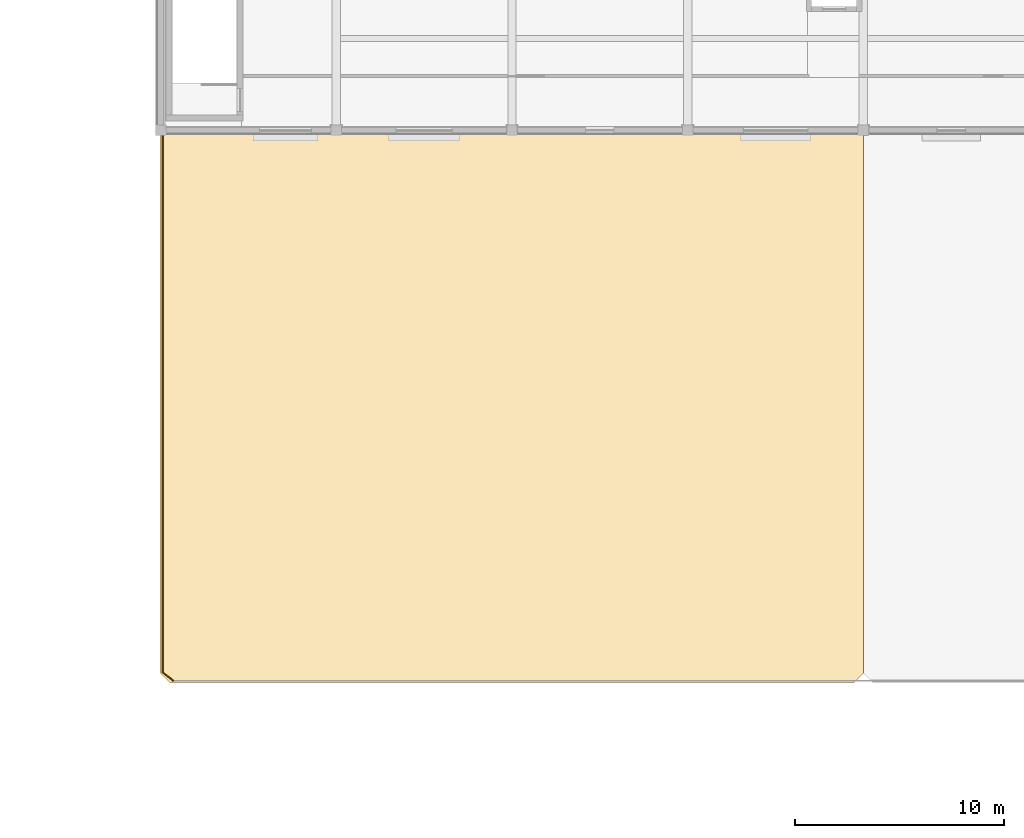
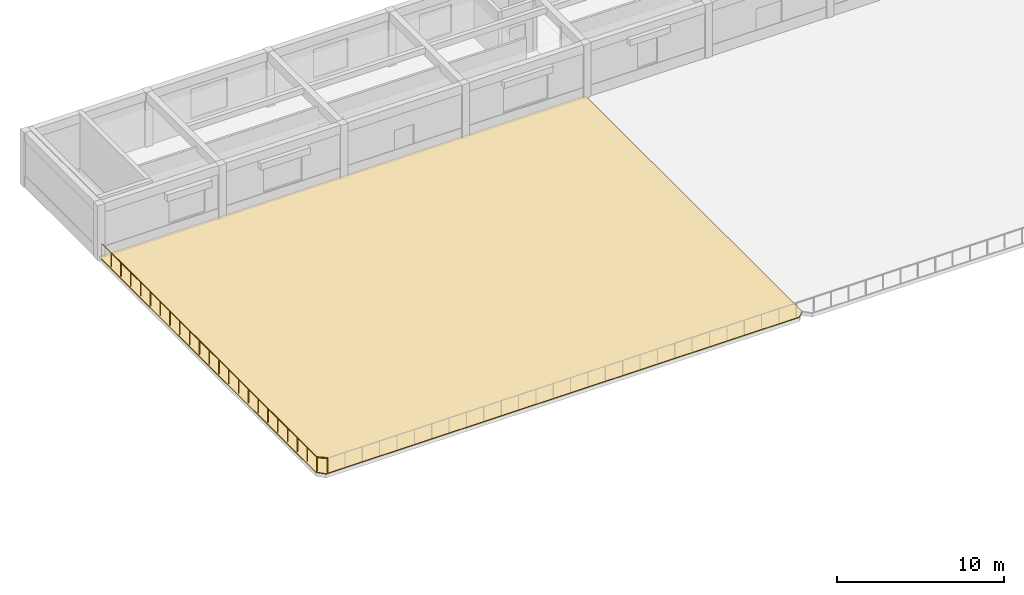
# One storey, part 43 of 49: 2 railings, 1 covering.
"""IFC4 building model written with IfcOpenShell, lengths in metres."""

from ifc_helpers import new_model, si_unit, direction, frame, origin, origin_2d, place, context, subcontext, project, spatial, polyline, circle, outline, extrude, material, layer, layer_set, type_object, element, save


model = new_model("IFC4")

# Units and contexts
model_context = context("Model", 3, precision=1e-05, world=origin(), true_north=direction((0.0, 1.0)))
body_context = subcontext(model_context, "Body", "Model", "MODEL_VIEW")
ifc_project = project(units=[si_unit("LENGTHUNIT", "METRE"), si_unit("AREAUNIT", "SQUARE_METRE"), si_unit("VOLUMEUNIT", "CUBIC_METRE"), si_unit("PLANEANGLEUNIT", "RADIAN"), si_unit("MASSUNIT", "GRAM", prefix="KILO")], contexts=[model_context])

# Site, building, storey
site_placement = place(None, origin())
site = spatial("IfcSite", under=ifc_project, at=site_placement, CompositionType="ELEMENT")
building_placement = place(site_placement, origin())
building = spatial("IfcBuilding", under=site, at=building_placement, Name="Kemercrest Conservatory and Botanical Centre", CompositionType="ELEMENT")
storey_placement = place(building_placement, frame((0.0, 0.0, 13.199951171875)))
storey = spatial("IfcBuildingStorey", under=building, at=storey_placement, Name="L03", CompositionType="ELEMENT", Elevation=13.199951171875)

# Covering
ifc_material_1 = material(Name="SBS modified bitumen insulated roofing membrane", Category="roofing")
ifc_layer = layer(ifc_material_1, 0.06005859375)
ifc_layer_set = layer_set([ifc_layer], Name="SBS modified bitumen insulated roofing membrane")
covering_type = type_object("IfcCoveringType", Name="CV-RFG060", PredefinedType="ROOFING", material=ifc_layer_set)
covering_placement = place(storey_placement, origin())
element("IfcCovering", 1, at=covering_placement, inside=storey, type_object=covering_type, Name="Insulated roof membrane covering (V3 L03 Public Botanical Roof Terrace Slab 1)", PredefinedType="ROOFING", context=body_context, shape_type="SweptSolid", body=[
    extrude(outline(polyline([(16.85009765625, 87.199951171875), (49.550048828125, 87.199951171875), (50.0, 87.64990234375), (50.0, 113.60009765625), (16.39990234375, 113.60009765625), (16.39990234375, 87.64990234375), (16.85009765625, 87.199951171875)])), origin(), (0.0, 0.0, 1.0), 0.06005859375),
])

# Railings
ifc_material_2 = material(Name="Architectural bronze-anodized steel balustrade", Category="steel")
railing_type = type_object("IfcRailingType", Name="GR-TER110", PredefinedType="GUARDRAIL", material=ifc_material_2)
railing_1_placement = place(storey_placement, frame((16.5, 113.5, 0.0)))
element("IfcRailing", 2, at=railing_1_placement, inside=storey, type_object=railing_type, Name="Safety guardrail GR-TER110 (V3-TER-1)", PredefinedType="GUARDRAIL", context=body_context, shape_type="SweptSolid", body=[
    extrude(circle(Radius=0.02392578125, at=origin_2d()), frame((0.0, 0.0, 1.076171875), z_axis=(0.0, -1.0, 0.0), x_axis=(1.0, 0.0, 0.0)), (0.0, 0.0, 1.0), 25.800048828125),
    extrude(circle(Radius=0.02099609375, at=origin_2d()), origin(), (0.0, 0.0, 1.0), 1.052001953125),
    extrude(circle(Radius=0.02099609375, at=origin_2d()), frame((0.0, -1.1728515625, 0.0)), (0.0, 0.0, 1.0), 1.052001953125),
    extrude(circle(Radius=0.02099609375, at=origin_2d()), frame((0.0, -2.345458984375, 0.0)), (0.0, 0.0, 1.0), 1.052001953125),
    extrude(circle(Radius=0.02099609375, at=origin_2d()), frame((0.0, -3.51806640625, 0.0)), (0.0, 0.0, 1.0), 1.052001953125),
    extrude(circle(Radius=0.02099609375, at=origin_2d()), frame((0.0, -4.69091796875, 0.0)), (0.0, 0.0, 1.0), 1.052001953125),
    extrude(circle(Radius=0.02099609375, at=origin_2d()), frame((0.0, -5.86376953125, 0.0)), (0.0, 0.0, 1.0), 1.052001953125),
    extrude(circle(Radius=0.02099609375, at=origin_2d()), frame((0.0, -7.036376953125, 0.0)), (0.0, 0.0, 1.0), 1.052001953125),
    extrude(circle(Radius=0.02099609375, at=origin_2d()), frame((0.0, -8.208984375, 0.0)), (0.0, 0.0, 1.0), 1.052001953125),
    extrude(circle(Radius=0.02099609375, at=origin_2d()), frame((0.0, -9.3818359375, 0.0)), (0.0, 0.0, 1.0), 1.052001953125),
    extrude(circle(Radius=0.02099609375, at=origin_2d()), frame((0.0, -10.5546875, 0.0)), (0.0, 0.0, 1.0), 1.052001953125),
    extrude(circle(Radius=0.02099609375, at=origin_2d()), frame((0.0, -11.727294921875, 0.0)), (0.0, 0.0, 1.0), 1.052001953125),
    extrude(circle(Radius=0.02099609375, at=origin_2d()), frame((0.0, -12.89990234375, 0.0)), (0.0, 0.0, 1.0), 1.052001953125),
    extrude(circle(Radius=0.02099609375, at=origin_2d()), frame((0.0, -14.07275390625, 0.0)), (0.0, 0.0, 1.0), 1.052001953125),
    extrude(circle(Radius=0.02099609375, at=origin_2d()), frame((0.0, -15.24560546875, 0.0)), (0.0, 0.0, 1.0), 1.052001953125),
    extrude(circle(Radius=0.02099609375, at=origin_2d()), frame((0.0, -16.418212890625, 0.0)), (0.0, 0.0, 1.0), 1.052001953125),
    extrude(circle(Radius=0.02099609375, at=origin_2d()), frame((0.0, -17.5908203125, 0.0)), (0.0, 0.0, 1.0), 1.052001953125),
    extrude(circle(Radius=0.02099609375, at=origin_2d()), frame((0.0, -18.763671875, 0.0)), (0.0, 0.0, 1.0), 1.052001953125),
    extrude(circle(Radius=0.02099609375, at=origin_2d()), frame((0.0, -19.9365234375, 0.0)), (0.0, 0.0, 1.0), 1.052001953125),
    extrude(circle(Radius=0.02099609375, at=origin_2d()), frame((0.0, -21.109130859375, 0.0)), (0.0, 0.0, 1.0), 1.052001953125),
    extrude(circle(Radius=0.02099609375, at=origin_2d()), frame((0.0, -22.28173828125, 0.0)), (0.0, 0.0, 1.0), 1.052001953125),
    extrude(circle(Radius=0.02099609375, at=origin_2d()), frame((0.0, -23.45458984375, 0.0)), (0.0, 0.0, 1.0), 1.052001953125),
    extrude(circle(Radius=0.02099609375, at=origin_2d()), frame((0.0, -24.62744140625, 0.0)), (0.0, 0.0, 1.0), 1.052001953125),
    extrude(circle(Radius=0.02099609375, at=origin_2d()), frame((0.0, -25.800048828125, 0.0)), (0.0, 0.0, 1.0), 1.052001953125),
])
railing_2_placement = place(storey_placement, frame((16.5, 87.699951171875, 0.0)))
element("IfcRailing", 3, at=railing_2_placement, inside=storey, type_object=railing_type, Name="Safety guardrail GR-TER110 (V3-TER-2)", PredefinedType="GUARDRAIL", context=body_context, shape_type="SweptSolid", body=[
    extrude(circle(Radius=0.02392578125, at=origin_2d()), frame((0.0, 0.0, 1.076171875), z_axis=(0.780943207792, -0.624602038264, 0.0), x_axis=(0.624602038264, 0.780943207792, 0.0)), (0.0, 0.0, 1.0), 0.64013671875),
    extrude(circle(Radius=0.02099609375, at=origin_2d()), origin(), (0.0, 0.0, 1.0), 1.052001953125),
    extrude(circle(Radius=0.02099609375, at=origin_2d()), frame((0.5, -0.39990234375, 0.0)), (0.0, 0.0, 1.0), 1.052001953125),
])

save(model, "model.ifc")
